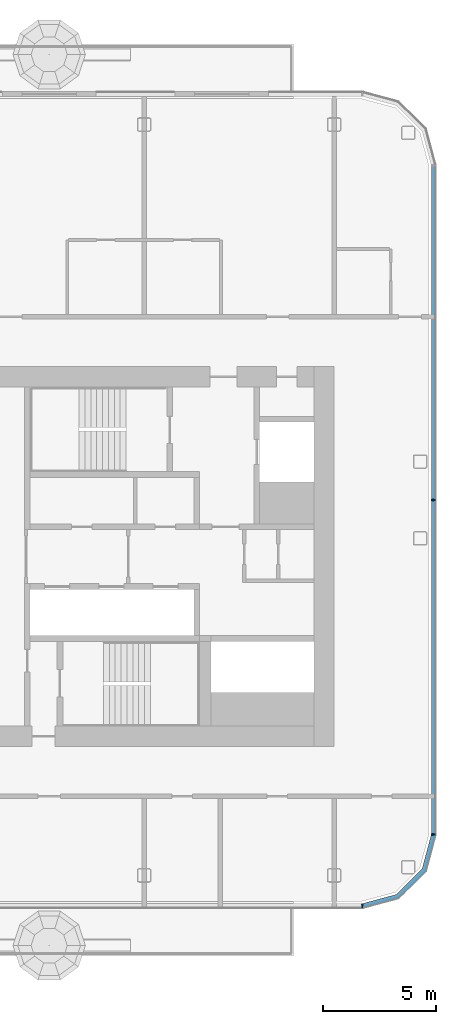
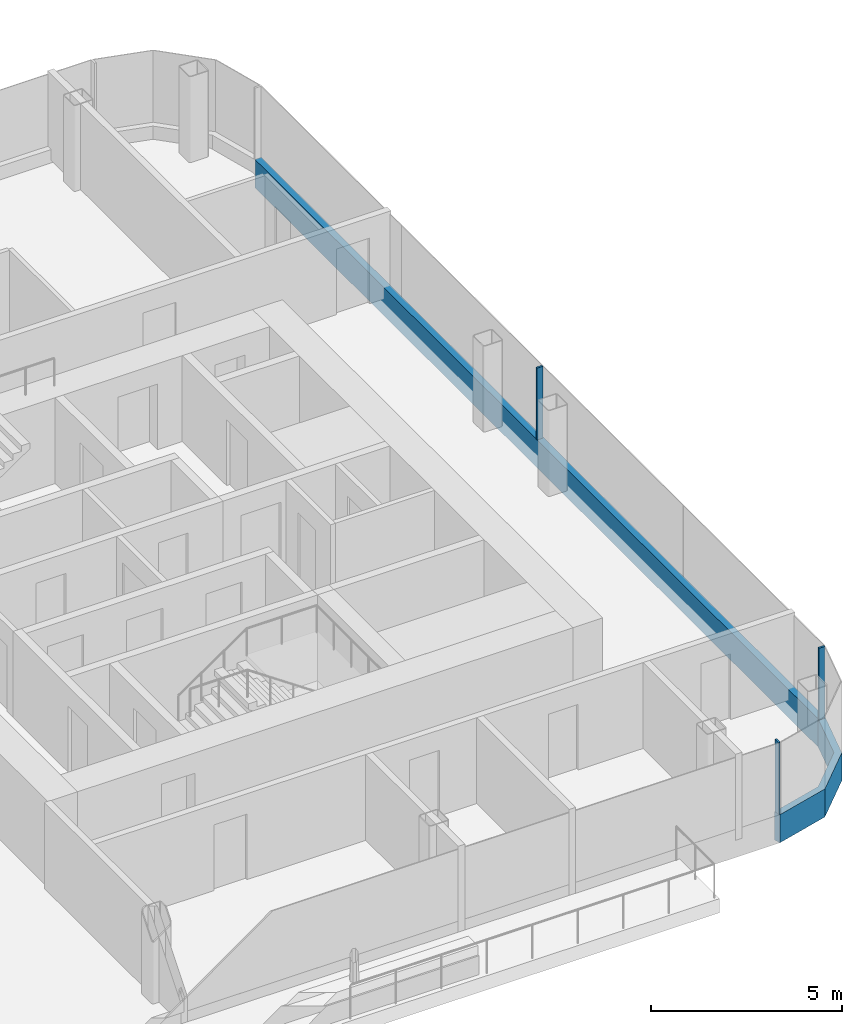
# One storey, part 8 of 28: 5 members, 3 elements without a shape of their own.
"""IFC4 building model written with IfcOpenShell, lengths in metres."""

from ifc_helpers import new_model, si_unit, direction, frame, origin, origin_2d, place, context, subcontext, project, spatial, polyline, rectangle, outline, extrude, material, layer, layer_set, material_profile, profile_set, type_object, element, aggregate, save


model = new_model("IFC4")

# Units and contexts
model_context = context("Model", 3, precision=1e-05, world=origin(), true_north=direction((0.0, 1.0)))
body_context = subcontext(model_context, "Body", "Model", "MODEL_VIEW")
ifc_project = project(units=[si_unit("LENGTHUNIT", "METRE"), si_unit("AREAUNIT", "SQUARE_METRE"), si_unit("VOLUMEUNIT", "CUBIC_METRE"), si_unit("PLANEANGLEUNIT", "RADIAN"), si_unit("MASSUNIT", "GRAM", prefix="KILO")], contexts=[model_context])

# Site, building, storey
site_placement = place(None, origin())
site = spatial("IfcSite", under=ifc_project, at=site_placement, CompositionType="ELEMENT")
building_placement = place(site_placement, origin())
building = spatial("IfcBuilding", under=site, at=building_placement, Name="Hakoniwa Tower and Hamabe Station Hall", CompositionType="ELEMENT")
storey_placement = place(building_placement, frame((0.0, 0.0, 218.60009765625)))
storey = spatial("IfcBuildingStorey", under=building, at=storey_placement, Name="L62", CompositionType="ELEMENT", Elevation=218.60009765625)

# Curtain wall, member
ifc_material_1 = material(Name="Dark low-e laminated glass", Category="glass")
ifc_layer = layer(ifc_material_1, 0.199951171875)
ifc_layer_set = layer_set([ifc_layer], Name="CW-1 UNITISED GUEST")
curtain_wall_type = type_object("IfcCurtainWallType", Name="CW-1 UNITISED GUEST", PredefinedType="NOTDEFINED", material=ifc_layer_set)
curtain_wall_1_placement = place(storey_placement, origin())
curtain_wall_1 = element("IfcCurtainWall", 1, at=curtain_wall_1_placement, inside=storey, type_object=curtain_wall_type, Name="CW-1 curtain wall", PredefinedType="NOTDEFINED")
ifc_material_2 = material(Name="Aluminium 6063-T5 black anodised", Category="aluminium")
ifc_material_profile_1 = material_profile(ifc_material_2, rectangle(XDim=0.199951171875, YDim=0.89990234375, at=origin_2d()), Name="CW SLAB-EDGE BAND 900X200")
ifc_profile_set_1 = profile_set([ifc_material_profile_1], Name="Aluminium 6063-T5 black anodised")
member_type_1 = type_object("IfcMemberType", Name="CW SLAB-EDGE BAND 900X200", PredefinedType="USERDEFINED", material=ifc_profile_set_1)
member_1_placement = place(storey_placement, frame((38.0, -12.28955078125, -0.10009765625), z_axis=(0.0, 1.0, 0.0), x_axis=(-1.0, 0.0, 0.0)))
member_1 = element("IfcMember", 2, at=member_1_placement, type_object=member_type_1, Name="CW-1 transom", ObjectType="TRANSOM", PredefinedType="USERDEFINED", context=body_context, shape_type="SweptSolid", body=[
    extrude(rectangle(XDim=0.199951171875, YDim=0.89990234375, at=origin_2d()), origin(), (0.0, 0.0, 1.0), 29.5791015625),
])

curtain_wall_2_placement = place(storey_placement, origin())
curtain_wall_2 = element("IfcCurtainWall", 3, at=curtain_wall_2_placement, inside=storey, type_object=curtain_wall_type, Name="CW-1 curtain wall", PredefinedType="NOTDEFINED")
member_2_placement = place(storey_placement, frame((0.0, 0.0, -0.550048828125)))
member_2 = element("IfcMember", 4, at=member_2_placement, type_object=member_type_1, Name="CW-1 transom", ObjectType="TRANSOM", PredefinedType="USERDEFINED", context=body_context, shape_type="SweptSolid", body=[
    extrude(outline(polyline([(34.839599609375, -15.550048828125), (36.455322265625, -15.116943359375), (37.6669921875, -13.9052734375), (38.10009765625, -12.28955078125), (37.90673828125, -12.23779296875), (37.48779296875, -13.8017578125), (36.351806640625, -14.937744140625), (34.787841796875, -15.35693359375), (34.839599609375, -15.550048828125)])), origin(), (0.0, 0.0, 1.0), 0.89990234375),
])
aggregate(curtain_wall_2, [member_2])

# Member
ifc_material_3 = material(Name="Aluminium 6063-T5 black anodised", Category="aluminium")
ifc_material_profile_2 = material_profile(ifc_material_3, rectangle(XDim=0.06005859375, YDim=0.179931640625, at=origin_2d()), Name="CW-1 MULLION 60X180")
ifc_profile_set_2 = profile_set([ifc_material_profile_2], Name="Aluminium 6063-T5 black anodised")
member_type_2 = type_object("IfcMemberType", Name="CW-1 MULLION 60X180", PredefinedType="MULLION", material=ifc_profile_set_2)
member_3_placement = place(storey_placement, frame((37.98193359375, -12.28955078125, 0.349853515625), z_axis=(0.0, 0.0, 1.0), x_axis=(0.0, 1.0, 0.0)))
member_3 = element("IfcMember", 5, at=member_3_placement, type_object=member_type_2, Name="CW-1 mullion", PredefinedType="MULLION", context=body_context, shape_type="SweptSolid", body=[
    extrude(rectangle(XDim=0.06005859375, YDim=0.179931640625, at=origin_2d()), origin(), (0.0, 0.0, 1.0), 2.300048828125),
])

member_4_placement = place(storey_placement, frame((37.98193359375, 2.5, 0.349853515625), z_axis=(0.0, 0.0, 1.0), x_axis=(0.0, 1.0, 0.0)))
member_4 = element("IfcMember", 6, at=member_4_placement, type_object=member_type_2, Name="CW-1 mullion", PredefinedType="MULLION", context=body_context, shape_type="SweptSolid", body=[
    extrude(rectangle(XDim=0.06005859375, YDim=0.179931640625, at=origin_2d()), origin(), (0.0, 0.0, 1.0), 2.300048828125),
])

aggregate(curtain_wall_1, [member_3, member_4, member_1])

# Curtain wall, member
curtain_wall_3_placement = place(storey_placement, origin())
curtain_wall_3 = element("IfcCurtainWall", 7, at=curtain_wall_3_placement, inside=storey, type_object=curtain_wall_type, Name="CW-1 curtain wall", PredefinedType="NOTDEFINED")
member_5_placement = place(storey_placement, frame((34.839599609375, -15.431884765625, 0.349853515625), z_axis=(0.0, 0.0, 1.0), x_axis=(1.0, 0.0, 0.0)))
member_5 = element("IfcMember", 8, at=member_5_placement, type_object=member_type_2, Name="CW-1 mullion", PredefinedType="MULLION", context=body_context, shape_type="SweptSolid", body=[
    extrude(rectangle(XDim=0.06005859375, YDim=0.179931640625, at=origin_2d()), origin(), (0.0, 0.0, 1.0), 2.300048828125),
])
aggregate(curtain_wall_3, [member_5])

save(model, "model.ifc")
